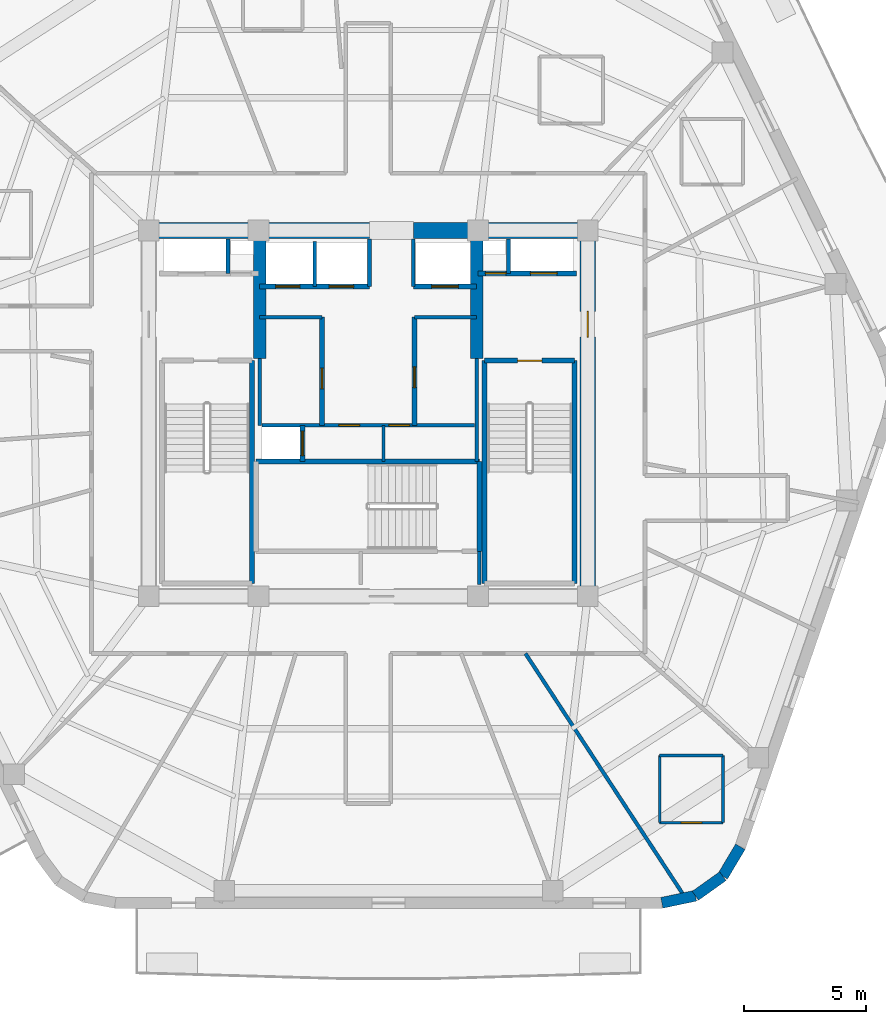
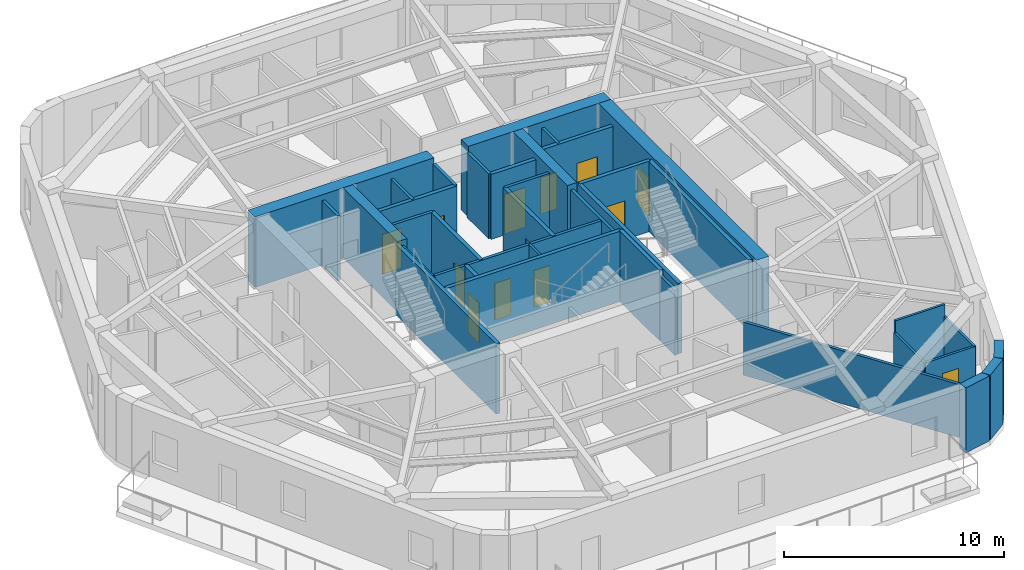
# One storey, part 4 of 9: 37 walls, 13 doors, 13 openings.
"""IFC4 building model written with IfcOpenShell, lengths in metres."""

from ifc_helpers import new_model, si_unit, direction, frame, frame_2d, origin, place, context, subcontext, project, spatial, rectangle, extrude, material, layer, layer_set, type_object, element, fill, save


model = new_model("IFC4")

# Units and contexts
model_context = context("Model", 3, precision=1e-05, world=origin(), true_north=direction((0.0, 1.0)))
body_context = subcontext(model_context, "Body", "Model", "MODEL_VIEW")
ifc_project = project(units=[si_unit("LENGTHUNIT", "METRE"), si_unit("AREAUNIT", "SQUARE_METRE"), si_unit("VOLUMEUNIT", "CUBIC_METRE"), si_unit("PLANEANGLEUNIT", "RADIAN"), si_unit("MASSUNIT", "GRAM", prefix="KILO")], contexts=[model_context])

# Site, building, storey
site_placement = place(None, origin())
site = spatial("IfcSite", under=ifc_project, at=site_placement, CompositionType="ELEMENT")
building_placement = place(site_placement, origin())
building = spatial("IfcBuilding", under=site, at=building_placement, Name="Kilnhurst Terrace Hotel", CompositionType="ELEMENT")
storey_placement = place(building_placement, frame((0.0, 0.0, 280.800048828125)))
storey = spatial("IfcBuildingStorey", under=building, at=storey_placement, Name="L70", CompositionType="ELEMENT", Elevation=280.800048828125)

# Walls
ifc_material_1 = material(Name="Precast concrete C40/50", Category="concrete")
ifc_layer_1 = layer(ifc_material_1, 0.449951171875, Name="Precast concrete C40/50")
ifc_layer_set_1 = layer_set([ifc_layer_1], Name="Precast concrete C40/50")
wall_type_1 = type_object("IfcWallType", Name="WL-BRK-450", PredefinedType="SOLIDWALL", material=ifc_layer_set_1)
wall_1_placement = place(storey_placement, frame((12.038330078125, -20.074951171875, 0.0), z_axis=(0.0, 0.0, 1.0), x_axis=(0.978750122553, 0.205056571711, 0.0)))
element("IfcWall", 1, at=wall_1_placement, inside=storey, type_object=wall_type_1, Name="L70 Rounded Corner Brick Wall C2.1", PredefinedType="SOLIDWALL", context=body_context, shape_type="SweptSolid", body=[
    extrude(rectangle(XDim=1.406005859375, YDim=0.449951171875, at=frame_2d((0.703125, 0.0))), origin(), (0.0, 0.0, 1.0), 3.599853515625),
])
wall_2_placement = place(storey_placement, frame((13.41455078125, -19.78662109375, 0.0), z_axis=(0.0, 0.0, 1.0), x_axis=(0.814055493997, 0.580787097561, 0.0)))
element("IfcWall", 2, at=wall_2_placement, inside=storey, type_object=wall_type_1, Name="L70 Rounded Corner Brick Wall C2.2", PredefinedType="SOLIDWALL", context=body_context, shape_type="SweptSolid", body=[
    extrude(rectangle(XDim=1.382568359375, YDim=0.449951171875, at=frame_2d((0.69140625, 0.0))), origin(), (0.0, 0.0, 1.0), 3.599853515625),
])
wall_3_placement = place(storey_placement, frame((14.5400390625, -18.983642578125, 0.0), z_axis=(0.0, 0.0, 1.0), x_axis=(0.512374906623, 0.858761873317, 0.0)))
element("IfcWall", 3, at=wall_3_placement, inside=storey, type_object=wall_type_1, Name="L70 Rounded Corner Brick Wall C2.3", PredefinedType="SOLIDWALL", context=body_context, shape_type="SweptSolid", body=[
    extrude(rectangle(XDim=1.406005859375, YDim=0.449951171875, at=frame_2d((0.703125, 0.0))), origin(), (0.0, 0.0, 1.0), 3.599853515625),
])
ifc_material_2 = material(Name="Concrete C60/75", Category="concrete")
ifc_layer_2 = layer(ifc_material_2, 0.64990234375, Name="Concrete C60/75")
ifc_layer_set_2 = layer_set([ifc_layer_2], Name="Concrete C60/75")
wall_type_2 = type_object("IfcWallType", Name="WL-CORE-650", PredefinedType="SHEAR", material=ifc_layer_set_2)
wall_4_placement = place(storey_placement, frame((-9.324951171875, 7.5, 0.0), z_axis=(0.0, 0.0, 1.0), x_axis=(1.0, 0.0, 0.0)))
element("IfcWall", 4, at=wall_4_placement, inside=storey, type_object=wall_type_2, Name="L70 Core North West Shear Wall", PredefinedType="SHEAR", context=body_context, shape_type="SweptSolid", body=[
    extrude(rectangle(XDim=9.375, YDim=0.64990234375, at=frame_2d((4.6875, 0.0))), origin(), (0.0, 0.0, 1.0), 3.89990234375),
])
wall_5_placement = place(storey_placement, frame((1.85009765625, 7.5, 0.0), z_axis=(0.0, 0.0, 1.0), x_axis=(1.0, 0.0, 0.0)))
element("IfcWall", 5, at=wall_5_placement, inside=storey, type_object=wall_type_2, Name="L70 Core North East Shear Wall", PredefinedType="SHEAR", context=body_context, shape_type="SweptSolid", body=[
    extrude(rectangle(XDim=7.474853515625, YDim=0.64990234375, at=frame_2d((3.7373046875, 0.0))), origin(), (0.0, 0.0, 1.0), 3.89990234375),
])

# Wall, opening, door
wall_6_placement = place(storey_placement, frame((9.0, -7.175048828125, 0.0), z_axis=(0.0, 0.0, 1.0), x_axis=(0.0, 1.0, 0.0)))
wall_6 = element("IfcWall", 6, at=wall_6_placement, inside=storey, type_object=wall_type_2, Name="L70 Core East Shear Wall", PredefinedType="SHEAR", context=body_context, shape_type="SweptSolid", body=[
    extrude(rectangle(XDim=14.35009765625, YDim=0.64990234375, at=frame_2d((7.175048828125, 0.0))), origin(), (0.0, 0.0, 1.0), 3.89990234375),
])
opening_1_placement = place(wall_6_placement, frame((10.300048828125, 0.0, 0.0)))
opening_1 = element("IfcOpeningElement", 7, at=opening_1_placement, cuts=wall_6, Name="Opening D-90A", PredefinedType="OPENING", context=body_context, shape_type="SweptSolid", body=[
    extrude(rectangle(XDim=1.050048828125, YDim=2.14990234375, at=frame_2d((0.52490234375, 1.074951171875))), frame((0.0, 0.3349609375, 0.0), z_axis=(0.0, -1.0, 0.0), x_axis=(1.0, 0.0, 0.0)), (0.0, 0.0, 1.0), 0.669921875),
])
ifc_material_3 = material(Name="Painted Hollow Metal Steel ASTM A36 Fire Door", Category="steel")
door_type_1 = type_object("IfcDoorType", Name="DR-FD90-1050", OperationType="NOTDEFINED", PredefinedType="DOOR", material=ifc_material_3)
door_1_placement = place(opening_1_placement, origin())
door_1 = element("IfcDoor", 8, at=door_1_placement, inside=storey, type_object=door_type_1, Name="L70 East Firefighting Lobby Door", OperationType="SINGLE_SWING_LEFT", OverallHeight=2.14990234375, OverallWidth=1.050048828125, PredefinedType="DOOR", context=body_context, shape_type="SweptSolid", body=[
    extrude(rectangle(XDim=1.050048828125, YDim=2.14990234375, at=frame_2d((0.52490234375, 1.074951171875))), frame((0.0, 0.02490234375, 0.0), z_axis=(0.0, -1.0, 0.0), x_axis=(1.0, 0.0, 0.0)), (0.0, 0.0, 1.0), 0.050048828125),
])
fill(opening_1, door_1)

# Walls
ifc_layer_3 = layer(ifc_material_2, 0.5, Name="Concrete C60/75")
ifc_layer_set_3 = layer_set([ifc_layer_3], Name="Concrete C60/75")
wall_type_3 = type_object("IfcWallType", Name="WL-CORE-WEB-500", PredefinedType="SHEAR", material=ifc_layer_set_3)
for number, where, z_axis, x_axis, name in (
    (9, (-4.449951171875, 2.25, 0.0), (0.0, 0.0, 1.0), (0.0, 1.0, 0.0), "L70 Core Internal West Shear Web"),
    (10, (4.449951171875, 2.25, 0.0), (0.0, 0.0, 1.0), (0.0, 1.0, 0.0), "L70 Core Internal East Shear Web"),
):
    element("IfcWall", number, at=place(storey_placement, frame(where, z_axis=z_axis, x_axis=x_axis)), inside=storey, type_object=wall_type_3, Name=name, PredefinedType="SHEAR", context=body_context, shape_type="SweptSolid", body=[
        extrude(rectangle(XDim=4.925048828125, YDim=0.5, at=frame_2d((2.46240234375, 0.0))), origin(), (0.0, 0.0, 1.0), 3.89990234375),
    ])
ifc_material_4 = material(Name="STC-58 Acoustic Twin-Frame Guestroom Demising Partition")
ifc_layer_4 = layer(ifc_material_4, 0.14990234375, Name="STC-58 Acoustic Twin-Frame Guestroom Demising Partition")
ifc_layer_set_4 = layer_set([ifc_layer_4], Name="STC-58 Acoustic Twin-Frame Guestroom Demising Partition")
wall_type_4 = type_object("IfcWallType", Name="WL-DEM-150", PredefinedType="PARTITIONING", material=ifc_layer_set_4)
wall_7_placement = place(storey_placement, frame((6.4462890625, -9.85009765625, 0.0), z_axis=(0.0, 0.0, 1.0), x_axis=(0.547598105704, -0.836741486141, 0.0)))
element("IfcWall", 11, at=wall_7_placement, inside=storey, type_object=wall_type_4, Name="L70 Interior Wall WL-L70-DEM-MID10-15-1", PredefinedType="PARTITIONING", context=body_context, shape_type="SweptSolid", body=[
    extrude(rectangle(XDim=11.805908203125, YDim=0.14990234375, at=frame_2d((5.90283203125, 0.0))), origin(), (0.0, 0.0, 1.0), 2.93994140625),
])
ifc_material_5 = material(Name="120 mm Moisture-Resistant Tile-Backed Bathroom Partition")
ifc_layer_5 = layer(ifc_material_5, 0.1201171875, Name="120 mm Moisture-Resistant Tile-Backed Bathroom Partition")
ifc_layer_set_5 = layer_set([ifc_layer_5], Name="120 mm Moisture-Resistant Tile-Backed Bathroom Partition")
wall_type_5 = type_object("IfcWallType", Name="WL-PART-120", PredefinedType="PARTITIONING", material=ifc_layer_set_5)
wall_8_placement = place(storey_placement, frame((0.6201171875, -1.971923828125, 0.0), z_axis=(0.0, 0.0, 1.0), x_axis=(0.0, 1.0, 0.0)))
element("IfcWall", 12, at=wall_8_placement, inside=storey, type_object=wall_type_5, Name="L70 Interior Wall WL-L70-BOH-C1", PredefinedType="PARTITIONING", context=body_context, shape_type="SweptSolid", body=[
    extrude(rectangle(XDim=1.471923828125, YDim=0.1201171875, at=frame_2d((0.73583984375, 0.0))), origin(), (0.0, 0.0, 1.0), 3.599853515625),
])

# Wall, opening, door
wall_9_placement = place(storey_placement, frame((11.9541015625, -16.7900390625, 0.0), z_axis=(0.0, 0.0, 1.0), x_axis=(1.0, 0.0, 0.0)))
wall_9 = element("IfcWall", 13, at=wall_9_placement, inside=storey, type_object=wall_type_5, Name="L70 Interior Wall WL-L70-BTH-15-1", PredefinedType="PARTITIONING", context=body_context, shape_type="SweptSolid", body=[
    extrude(rectangle(XDim=2.599853515625, YDim=0.1201171875, at=frame_2d((1.2998046875, 0.0))), origin(), (0.0, 0.0, 1.0), 2.93994140625),
])
opening_2_placement = place(wall_9_placement, frame((0.875, 0.0, 0.0)))
opening_2 = element("IfcOpeningElement", 14, at=opening_2_placement, cuts=wall_9, Name="Opening D-08A", PredefinedType="OPENING", context=body_context, shape_type="SweptSolid", body=[
    extrude(rectangle(XDim=0.85009765625, YDim=2.030029296875, at=frame_2d((0.425048828125, 1.01513671875))), frame((0.0, 0.070068359375, 0.0), z_axis=(0.0, -1.0, 0.0), x_axis=(1.0, 0.0, 0.0)), (0.0, 0.0, 1.0), 0.14013671875),
])
ifc_material_6 = material(Name="Moisture-Resistant Lacquered En-suite Bathroom Door")
door_type_2 = type_object("IfcDoorType", Name="DR-INT-850", OperationType="NOTDEFINED", PredefinedType="DOOR", material=ifc_material_6)
door_2_placement = place(opening_2_placement, origin())
door_2 = element("IfcDoor", 15, at=door_2_placement, inside=storey, type_object=door_type_2, Name="L70 En-suite Bathroom Door 15", OperationType="SINGLE_SWING_RIGHT", OverallHeight=2.030029296875, OverallWidth=0.85009765625, PredefinedType="DOOR", context=body_context, shape_type="SweptSolid", body=[
    extrude(rectangle(XDim=0.85009765625, YDim=2.030029296875, at=frame_2d((0.425048828125, 1.01513671875))), frame((0.0, 0.02490234375, 0.0), z_axis=(0.0, -1.0, 0.0), x_axis=(1.0, 0.0, 0.0)), (0.0, 0.0, 1.0), 0.050048828125),
])
fill(opening_2, door_2)

# Walls
wall_10_placement = place(storey_placement, frame((14.553955078125, -16.7900390625, 0.0), z_axis=(0.0, 0.0, 1.0), x_axis=(0.0, 1.0, 0.0)))
element("IfcWall", 16, at=wall_10_placement, inside=storey, type_object=wall_type_5, Name="L70 Interior Wall WL-L70-BTH-15-2", PredefinedType="PARTITIONING", context=body_context, shape_type="SweptSolid", body=[
    extrude(rectangle(XDim=2.75, YDim=0.1201171875, at=frame_2d((1.375, 0.0))), origin(), (0.0, 0.0, 1.0), 2.93994140625),
])
wall_11_placement = place(storey_placement, frame((14.553955078125, -14.0400390625, 0.0), z_axis=(0.0, 0.0, 1.0), x_axis=(-1.0, 0.0, 0.0)))
element("IfcWall", 17, at=wall_11_placement, inside=storey, type_object=wall_type_5, Name="L70 Interior Wall WL-L70-BTH-15-3", PredefinedType="PARTITIONING", context=body_context, shape_type="SweptSolid", body=[
    extrude(rectangle(XDim=2.599853515625, YDim=0.1201171875, at=frame_2d((1.2998046875, 0.0))), origin(), (0.0, 0.0, 1.0), 3.599853515625),
])
wall_12_placement = place(storey_placement, frame((11.9541015625, -14.0400390625, 0.0), z_axis=(0.0, 0.0, 1.0), x_axis=(0.0, -1.0, 0.0)))
element("IfcWall", 18, at=wall_12_placement, inside=storey, type_object=wall_type_5, Name="L70 Interior Wall WL-L70-BTH-15-4", PredefinedType="PARTITIONING", context=body_context, shape_type="SweptSolid", body=[
    extrude(rectangle(XDim=2.75, YDim=0.1201171875, at=frame_2d((1.375, 0.0))), origin(), (0.0, 0.0, 1.0), 2.93994140625),
])
ifc_material_7 = material(Name="Fire-Rated Gypsum Shaftliner Assembly")
ifc_layer_6 = layer(ifc_material_7, 0.14990234375, Name="Fire-Rated Gypsum Shaftliner Assembly")
ifc_layer_set_6 = layer_set([ifc_layer_6], Name="Fire-Rated Gypsum Shaftliner Assembly")
wall_type_6 = type_object("IfcWallType", Name="WL-SHAFT-150", PredefinedType="PARTITIONING", material=ifc_layer_set_6)
wall_13_placement = place(storey_placement, frame((4.55810546875, -7.02001953125, 0.0), z_axis=(0.0, 0.0, 1.0), x_axis=(0.0, 1.0, 0.0)))
element("IfcWall", 19, at=wall_13_placement, inside=storey, type_object=wall_type_6, Name="L70 Interior Wall WL-L70-ST3-PSGE", PredefinedType="PARTITIONING", context=body_context, shape_type="SweptSolid", body=[
    extrude(rectangle(XDim=1.362060546875, YDim=0.14990234375, at=frame_2d((0.68115234375, 0.0))), origin(), (0.0, 0.0, 1.0), 3.599853515625),
])
for number, where, z_axis, x_axis, name in (
    (20, (-5.75, 5.739990234375, 0.0), (0.0, 0.0, 1.0), (0.0, 1.0, 0.0), "L70 Interior Wall WL-L70-RIS1-DIV"),
    (21, (5.75, 5.739990234375, 0.0), (0.0, 0.0, 1.0), (0.0, 1.0, 0.0), "L70 Interior Wall WL-L70-RIS2-DIV"),
):
    element("IfcWall", number, at=place(storey_placement, frame(where, z_axis=z_axis, x_axis=x_axis)), inside=storey, type_object=wall_type_6, Name=name, PredefinedType="PARTITIONING", context=body_context, shape_type="SweptSolid", body=[
        extrude(rectangle(XDim=1.409912109375, YDim=0.14990234375, at=frame_2d((0.705078125, 0.0))), origin(), (0.0, 0.0, 1.0), 3.599853515625),
    ])
wall_14_placement = place(storey_placement, frame((-2.199951171875, 5.199951171875, 0.0), z_axis=(0.0, 0.0, 1.0), x_axis=(0.0, 1.0, 0.0)))
element("IfcWall", 22, at=wall_14_placement, inside=storey, type_object=wall_type_6, Name="L70 Interior Wall WL-L70-HR-DIV1", PredefinedType="PARTITIONING", context=body_context, shape_type="SweptSolid", body=[
    extrude(rectangle(XDim=1.85009765625, YDim=0.14990234375, at=frame_2d((0.925048828125, 0.0))), origin(), (0.0, 0.0, 1.0), 3.599853515625),
])
for number, where, z_axis, x_axis, name in (
    (23, (0.050048828125, 5.199951171875, 0.0), (0.0, 0.0, 1.0), (0.0, 1.0, 0.0), "L70 Interior Wall WL-L70-HR-PORTAL-W"),
    (24, (1.85009765625, 5.199951171875, 0.0), (0.0, 0.0, 1.0), (0.0, 1.0, 0.0), "L70 Interior Wall WL-L70-HR-PORTAL-E"),
):
    element("IfcWall", number, at=place(storey_placement, frame(where, z_axis=z_axis, x_axis=x_axis)), inside=storey, type_object=wall_type_6, Name=name, PredefinedType="PARTITIONING", context=body_context, shape_type="SweptSolid", body=[
        extrude(rectangle(XDim=1.949951171875, YDim=0.14990234375, at=frame_2d((0.97509765625, 0.0))), origin(), (0.0, 0.0, 1.0), 3.599853515625),
    ])
wall_15_placement = place(storey_placement, frame((-4.449951171875, -0.5, 0.0), z_axis=(0.0, 0.0, 1.0), x_axis=(0.0, 1.0, 0.0)))
element("IfcWall", 25, at=wall_15_placement, inside=storey, type_object=wall_type_6, Name="L70 Interior Wall WL-L70-XLOB-W", PredefinedType="PARTITIONING", context=body_context, shape_type="SweptSolid", body=[
    extrude(rectangle(XDim=2.75, YDim=0.14990234375, at=frame_2d((1.375, 0.0))), origin(), (0.0, 0.0, 1.0), 3.599853515625),
])
wall_16_placement = place(storey_placement, frame((4.449951171875, -1.971923828125, 0.0), z_axis=(0.0, 0.0, 1.0), x_axis=(0.0, 1.0, 0.0)))
element("IfcWall", 26, at=wall_16_placement, inside=storey, type_object=wall_type_6, Name="L70 Interior Wall WL-L70-XLOB-E", PredefinedType="PARTITIONING", context=body_context, shape_type="SweptSolid", body=[
    extrude(rectangle(XDim=4.221923828125, YDim=0.14990234375, at=frame_2d((2.11083984375, 0.0))), origin(), (0.0, 0.0, 1.0), 3.599853515625),
])
for number, where, z_axis, x_axis, name in (
    (27, (-4.449951171875, 3.93994140625, 0.0), (0.0, 0.0, 1.0), (1.0, 0.0, 0.0), "L70 Interior Wall WL-L70-LR-NORTH"),
    (28, (1.89990234375, 3.93994140625, 0.0), (0.0, 0.0, 1.0), (1.0, 0.0, 0.0), "L70 Interior Wall WL-L70-MR-NORTH"),
):
    element("IfcWall", number, at=place(storey_placement, frame(where, z_axis=z_axis, x_axis=x_axis)), inside=storey, type_object=wall_type_6, Name=name, PredefinedType="PARTITIONING", context=body_context, shape_type="SweptSolid", body=[
        extrude(rectangle(XDim=2.550048828125, YDim=0.14990234375, at=frame_2d((1.27490234375, 0.0))), origin(), (0.0, 0.0, 1.0), 3.599853515625),
    ])

# Wall, openings, doors
wall_17_placement = place(storey_placement, frame((-4.360107421875, -0.489990234375, 0.0), z_axis=(0.0, 0.0, 1.0), x_axis=(1.0, 0.0, 0.0)))
wall_17 = element("IfcWall", 29, at=wall_17_placement, inside=storey, type_object=wall_type_6, Name="L70 Interior Wall WL-L70-BOH-N", PredefinedType="PARTITIONING", context=body_context, shape_type="SweptSolid", body=[
    extrude(rectangle(XDim=8.72021484375, YDim=0.14990234375, at=frame_2d((4.360107421875, 0.0))), origin(), (0.0, 0.0, 1.0), 3.599853515625),
])
opening_3_placement = place(wall_17_placement, frame((3.159912109375, 0.0, 0.0)))
opening_3 = element("IfcOpeningElement", 30, at=opening_3_placement, cuts=wall_17, Name="Opening D-60D", PredefinedType="OPENING", context=body_context, shape_type="SweptSolid", body=[
    extrude(rectangle(XDim=0.85009765625, YDim=2.030029296875, at=frame_2d((0.425048828125, 1.01513671875))), frame((0.0, 0.0849609375, 0.0), z_axis=(0.0, -1.0, 0.0), x_axis=(1.0, 0.0, 0.0)), (0.0, 0.0, 1.0), 0.169921875),
])
opening_4_placement = place(wall_17_placement, frame((5.2099609375, 0.0, 0.0)))
opening_4 = element("IfcOpeningElement", 31, at=opening_4_placement, cuts=wall_17, Name="Opening D-60D", PredefinedType="OPENING", context=body_context, shape_type="SweptSolid", body=[
    extrude(rectangle(XDim=0.85009765625, YDim=2.030029296875, at=frame_2d((0.425048828125, 1.01513671875))), frame((0.0, 0.0849609375, 0.0), z_axis=(0.0, -1.0, 0.0), x_axis=(1.0, 0.0, 0.0)), (0.0, 0.0, 1.0), 0.169921875),
])
ifc_material_8 = material(Name="Painted Hollow Metal Steel ASTM A36 Riser Door", Category="steel")
door_type_3 = type_object("IfcDoorType", Name="DR-FD60-850", OperationType="NOTDEFINED", PredefinedType="DOOR", material=ifc_material_8)
door_3_placement = place(opening_3_placement, origin())
door_3 = element("IfcDoor", 32, at=door_3_placement, inside=storey, type_object=door_type_3, Name="L70 Housekeeping Laundry Door", OperationType="SINGLE_SWING_LEFT", OverallHeight=2.030029296875, OverallWidth=0.85009765625, PredefinedType="DOOR", context=body_context, shape_type="SweptSolid", body=[
    extrude(rectangle(XDim=0.85009765625, YDim=2.030029296875, at=frame_2d((0.425048828125, 1.01513671875))), frame((0.0, 0.02490234375, 0.0), z_axis=(0.0, -1.0, 0.0), x_axis=(1.0, 0.0, 0.0)), (0.0, 0.0, 1.0), 0.050048828125),
])
fill(opening_3, door_3)
door_4_placement = place(opening_4_placement, origin())
door_4 = element("IfcDoor", 33, at=door_4_placement, inside=storey, type_object=door_type_3, Name="L70 Room Service Kitchen Door", OperationType="SINGLE_SWING_RIGHT", OverallHeight=2.030029296875, OverallWidth=0.85009765625, PredefinedType="DOOR", context=body_context, shape_type="SweptSolid", body=[
    extrude(rectangle(XDim=0.85009765625, YDim=2.030029296875, at=frame_2d((0.425048828125, 1.01513671875))), frame((0.0, 0.02490234375, 0.0), z_axis=(0.0, -1.0, 0.0), x_axis=(1.0, 0.0, 0.0)), (0.0, 0.0, 1.0), 0.050048828125),
])
fill(opening_4, door_4)

ifc_material_9 = material(Name="Autoclaved Aerated Concrete C30/37 and Gypsum Shaft Assembly", Category="concrete")
ifc_layer_7 = layer(ifc_material_9, 0.199951171875, Name="Autoclaved Aerated Concrete C30/37 and Gypsum Shaft Assembly")
ifc_layer_set_7 = layer_set([ifc_layer_7], Name="Autoclaved Aerated Concrete C30/37 and Gypsum Shaft Assembly")
wall_type_7 = type_object("IfcWallType", Name="WL-SHAFT-200", PredefinedType="PARTITIONING", material=ifc_layer_set_7)
wall_18_placement = place(storey_placement, frame((4.5, 5.739990234375, 0.0), z_axis=(0.0, 0.0, 1.0), x_axis=(1.0, 0.0, 0.0)))
wall_18 = element("IfcWall", 34, at=wall_18_placement, inside=storey, type_object=wall_type_7, Name="L70 Interior Wall WL-L70-FSAE2-S", PredefinedType="PARTITIONING", context=body_context, shape_type="SweptSolid", body=[
    extrude(rectangle(XDim=4.050048828125, YDim=0.199951171875, at=frame_2d((2.02490234375, 0.0))), origin(), (0.0, 0.0, 1.0), 3.599853515625),
])
opening_5_placement = place(wall_18_placement, frame((0.300048828125, 0.0, 0.0)))
opening_5 = element("IfcOpeningElement", 35, at=opening_5_placement, cuts=wall_18, Name="Opening D-60D", PredefinedType="OPENING", context=body_context, shape_type="SweptSolid", body=[
    extrude(rectangle(XDim=0.85009765625, YDim=2.030029296875, at=frame_2d((0.425048828125, 1.01513671875))), frame((0.0, 0.10986328125, 0.0), z_axis=(0.0, -1.0, 0.0), x_axis=(1.0, 0.0, 0.0)), (0.0, 0.0, 1.0), 0.219970703125),
])
opening_6_placement = place(wall_18_placement, frame((2.14990234375, 0.0, 0.0)))
opening_6 = element("IfcOpeningElement", 36, at=opening_6_placement, cuts=wall_18, Name="Opening LD-F2", PredefinedType="OPENING", context=body_context, shape_type="SweptSolid", body=[
    extrude(rectangle(XDim=1.10009765625, YDim=2.199951171875, at=frame_2d((0.550048828125, 1.10009765625))), frame((0.0, 0.10986328125, 0.0), z_axis=(0.0, -1.0, 0.0), x_axis=(1.0, 0.0, 0.0)), (0.0, 0.0, 1.0), 0.219970703125),
])
door_5_placement = place(opening_5_placement, origin())
door_5 = element("IfcDoor", 37, at=door_5_placement, inside=storey, type_object=door_type_3, Name="L70 Telecom Riser Door", OperationType="SINGLE_SWING_RIGHT", OverallHeight=2.030029296875, OverallWidth=0.85009765625, PredefinedType="DOOR", context=body_context, shape_type="SweptSolid", body=[
    extrude(rectangle(XDim=0.85009765625, YDim=2.030029296875, at=frame_2d((0.425048828125, 1.01513671875))), frame((0.0, 0.02490234375, 0.0), z_axis=(0.0, -1.0, 0.0), x_axis=(1.0, 0.0, 0.0)), (0.0, 0.0, 1.0), 0.050048828125),
])
fill(opening_5, door_5)
ifc_material_10 = material(Name="Bronze-Anodized Stainless Steel AISI 316L Sliding Door", Category="steel")
door_type_4 = type_object("IfcDoorType", Name="DR-LIFT-1100", OperationType="NOTDEFINED", PredefinedType="DOOR", material=ifc_material_10)
door_6_placement = place(opening_6_placement, origin())
door_6 = element("IfcDoor", 38, at=door_6_placement, inside=storey, type_object=door_type_4, Name="L70 FSAE-2 Landing Door", OperationType="SLIDING_TO_RIGHT", OverallHeight=2.199951171875, OverallWidth=1.10009765625, PredefinedType="DOOR", context=body_context, shape_type="SweptSolid", body=[
    extrude(rectangle(XDim=1.10009765625, YDim=2.199951171875, at=frame_2d((0.550048828125, 1.10009765625))), frame((0.0, 0.02490234375, 0.0), z_axis=(0.0, -1.0, 0.0), x_axis=(1.0, 0.0, 0.0)), (0.0, 0.0, 1.0), 0.050048828125),
])
fill(opening_6, door_6)

# Wall, opening, door
wall_19_placement = place(storey_placement, frame((-2.699951171875, -1.971923828125, 0.0), z_axis=(0.0, 0.0, 1.0), x_axis=(0.0, 1.0, 0.0)))
wall_19 = element("IfcWall", 39, at=wall_19_placement, inside=storey, type_object=wall_type_7, Name="L70 Interior Wall WL-L70-SRV1-E", PredefinedType="PARTITIONING", context=body_context, shape_type="SweptSolid", body=[
    extrude(rectangle(XDim=1.471923828125, YDim=0.199951171875, at=frame_2d((0.73583984375, 0.0))), origin(), (0.0, 0.0, 1.0), 3.599853515625),
])
opening_7_placement = place(wall_19_placement, frame((0.239990234375, 0.0, 0.0)))
opening_7 = element("IfcOpeningElement", 40, at=opening_7_placement, cuts=wall_19, Name="Opening LD-SV", PredefinedType="OPENING", context=body_context, shape_type="SweptSolid", body=[
    extrude(rectangle(XDim=1.0, YDim=2.199951171875, at=frame_2d((0.5, 1.10009765625))), frame((0.0, 0.10986328125, 0.0), z_axis=(0.0, -1.0, 0.0), x_axis=(1.0, 0.0, 0.0)), (0.0, 0.0, 1.0), 0.219970703125),
])
door_type_5 = type_object("IfcDoorType", Name="DR-LIFT-1000", OperationType="NOTDEFINED", PredefinedType="DOOR", material=ifc_material_10)
door_7_placement = place(opening_7_placement, origin())
door_7 = element("IfcDoor", 41, at=door_7_placement, inside=storey, type_object=door_type_5, Name="L70 Service Lift SRV-1 Landing Door", OperationType="SLIDING_TO_LEFT", OverallHeight=2.199951171875, OverallWidth=1.0, PredefinedType="DOOR", context=body_context, shape_type="SweptSolid", body=[
    extrude(rectangle(XDim=1.0, YDim=2.199951171875, at=frame_2d((0.5, 1.10009765625))), frame((0.0, 0.02490234375, 0.0), z_axis=(0.0, -1.0, 0.0), x_axis=(1.0, 0.0, 0.0)), (0.0, 0.0, 1.0), 0.050048828125),
])
fill(opening_7, door_7)

# Wall, openings, doors
wall_20_placement = place(storey_placement, frame((-4.449951171875, 5.199951171875, 0.0), z_axis=(0.0, 0.0, 1.0), x_axis=(1.0, 0.0, 0.0)))
wall_20 = element("IfcWall", 42, at=wall_20_placement, inside=storey, type_object=wall_type_7, Name="L70 Interior Wall WL-L70-HR-SW", PredefinedType="PARTITIONING", context=body_context, shape_type="SweptSolid", body=[
    extrude(rectangle(XDim=4.5, YDim=0.199951171875, at=frame_2d((2.25, 0.0))), origin(), (0.0, 0.0, 1.0), 3.599853515625),
])
opening_8_placement = place(wall_20_placement, frame((0.64990234375, 0.0, 0.0)))
opening_8 = element("IfcOpeningElement", 43, at=opening_8_placement, cuts=wall_20, Name="Opening LD-HR", PredefinedType="OPENING", context=body_context, shape_type="SweptSolid", body=[
    extrude(rectangle(XDim=1.0, YDim=2.199951171875, at=frame_2d((0.5, 1.10009765625))), frame((0.0, 0.10986328125, 0.0), z_axis=(0.0, -1.0, 0.0), x_axis=(1.0, 0.0, 0.0)), (0.0, 0.0, 1.0), 0.219970703125),
])
opening_9_placement = place(wall_20_placement, frame((2.85009765625, 0.0, 0.0)))
opening_9 = element("IfcOpeningElement", 44, at=opening_9_placement, cuts=wall_20, Name="Opening LD-HS", PredefinedType="OPENING", context=body_context, shape_type="SweptSolid", body=[
    extrude(rectangle(XDim=1.0, YDim=2.199951171875, at=frame_2d((0.5, 1.10009765625))), frame((0.0, 0.10986328125, 0.0), z_axis=(0.0, -1.0, 0.0), x_axis=(1.0, 0.0, 0.0)), (0.0, 0.0, 1.0), 0.219970703125),
])
door_8_placement = place(opening_8_placement, origin())
door_8 = element("IfcDoor", 45, at=door_8_placement, inside=storey, type_object=door_type_5, Name="L70 High Rise Lift HR-1 Landing Door", OperationType="SLIDING_TO_LEFT", OverallHeight=2.199951171875, OverallWidth=1.0, PredefinedType="DOOR", context=body_context, shape_type="SweptSolid", body=[
    extrude(rectangle(XDim=1.0, YDim=2.199951171875, at=frame_2d((0.5, 1.10009765625))), frame((0.0, 0.02490234375, 0.0), z_axis=(0.0, -1.0, 0.0), x_axis=(1.0, 0.0, 0.0)), (0.0, 0.0, 1.0), 0.050048828125),
])
fill(opening_8, door_8)
door_9_placement = place(opening_9_placement, origin())
door_9 = element("IfcDoor", 46, at=door_9_placement, inside=storey, type_object=door_type_5, Name="L70 High Rise Lift HR-3 Landing Door", OperationType="SLIDING_TO_RIGHT", OverallHeight=2.199951171875, OverallWidth=1.0, PredefinedType="DOOR", context=body_context, shape_type="SweptSolid", body=[
    extrude(rectangle(XDim=1.0, YDim=2.199951171875, at=frame_2d((0.5, 1.10009765625))), frame((0.0, 0.02490234375, 0.0), z_axis=(0.0, -1.0, 0.0), x_axis=(1.0, 0.0, 0.0)), (0.0, 0.0, 1.0), 0.050048828125),
])
fill(opening_9, door_9)

# Wall, opening, door
wall_21_placement = place(storey_placement, frame((1.85009765625, 5.199951171875, 0.0), z_axis=(0.0, 0.0, 1.0), x_axis=(1.0, 0.0, 0.0)))
wall_21 = element("IfcWall", 47, at=wall_21_placement, inside=storey, type_object=wall_type_7, Name="L70 Interior Wall WL-L70-HR-SE", PredefinedType="PARTITIONING", context=body_context, shape_type="SweptSolid", body=[
    extrude(rectangle(XDim=2.599853515625, YDim=0.199951171875, at=frame_2d((1.2998046875, 0.0))), origin(), (0.0, 0.0, 1.0), 3.599853515625),
])
opening_10_placement = place(wall_21_placement, frame((0.75, 0.0, 0.0)))
opening_10 = element("IfcOpeningElement", 48, at=opening_10_placement, cuts=wall_21, Name="Opening LD-H2", PredefinedType="OPENING", context=body_context, shape_type="SweptSolid", body=[
    extrude(rectangle(XDim=1.10009765625, YDim=2.199951171875, at=frame_2d((0.550048828125, 1.10009765625))), frame((0.0, 0.10986328125, 0.0), z_axis=(0.0, -1.0, 0.0), x_axis=(1.0, 0.0, 0.0)), (0.0, 0.0, 1.0), 0.219970703125),
])
door_10_placement = place(opening_10_placement, origin())
door_10 = element("IfcDoor", 49, at=door_10_placement, inside=storey, type_object=door_type_4, Name="L70 High Rise Lift HR-2 Landing Door", OperationType="SLIDING_TO_RIGHT", OverallHeight=2.199951171875, OverallWidth=1.10009765625, PredefinedType="DOOR", context=body_context, shape_type="SweptSolid", body=[
    extrude(rectangle(XDim=1.10009765625, YDim=2.199951171875, at=frame_2d((0.550048828125, 1.10009765625))), frame((0.0, 0.02490234375, 0.0), z_axis=(0.0, -1.0, 0.0), x_axis=(1.0, 0.0, 0.0)), (0.0, 0.0, 1.0), 0.050048828125),
])
fill(opening_10, door_10)

wall_22_placement = place(storey_placement, frame((-1.89990234375, -0.5, 0.0), z_axis=(0.0, 0.0, 1.0), x_axis=(0.0, 1.0, 0.0)))
wall_22 = element("IfcWall", 50, at=wall_22_placement, inside=storey, type_object=wall_type_7, Name="L70 Interior Wall WL-L70-LR-FRONT", PredefinedType="PARTITIONING", context=body_context, shape_type="SweptSolid", body=[
    extrude(rectangle(XDim=4.43994140625, YDim=0.199951171875, at=frame_2d((2.219970703125, 0.0))), origin(), (0.0, 0.0, 1.0), 3.599853515625),
])
opening_11_placement = place(wall_22_placement, frame((1.5, 0.0, 0.0)))
opening_11 = element("IfcOpeningElement", 51, at=opening_11_placement, cuts=wall_22, Name="Opening D-60D", PredefinedType="OPENING", context=body_context, shape_type="SweptSolid", body=[
    extrude(rectangle(XDim=0.85009765625, YDim=2.030029296875, at=frame_2d((0.425048828125, 1.01513671875))), frame((0.0, 0.10986328125, 0.0), z_axis=(0.0, -1.0, 0.0), x_axis=(1.0, 0.0, 0.0)), (0.0, 0.0, 1.0), 0.219970703125),
])
door_11_placement = place(opening_11_placement, origin())
door_11 = element("IfcDoor", 52, at=door_11_placement, inside=storey, type_object=door_type_3, Name="L70 Reclaimed Linen Room Door", OperationType="SINGLE_SWING_LEFT", OverallHeight=2.030029296875, OverallWidth=0.85009765625, PredefinedType="DOOR", context=body_context, shape_type="SweptSolid", body=[
    extrude(rectangle(XDim=0.85009765625, YDim=2.030029296875, at=frame_2d((0.425048828125, 1.01513671875))), frame((0.0, 0.02490234375, 0.0), z_axis=(0.0, -1.0, 0.0), x_axis=(1.0, 0.0, 0.0)), (0.0, 0.0, 1.0), 0.050048828125),
])
fill(opening_11, door_11)

wall_23_placement = place(storey_placement, frame((1.89990234375, -0.5, 0.0), z_axis=(0.0, 0.0, 1.0), x_axis=(0.0, 1.0, 0.0)))
wall_23 = element("IfcWall", 53, at=wall_23_placement, inside=storey, type_object=wall_type_7, Name="L70 Interior Wall WL-L70-MR-FRONT", PredefinedType="PARTITIONING", context=body_context, shape_type="SweptSolid", body=[
    extrude(rectangle(XDim=4.43994140625, YDim=0.199951171875, at=frame_2d((2.219970703125, 0.0))), origin(), (0.0, 0.0, 1.0), 3.599853515625),
])
opening_12_placement = place(wall_23_placement, frame((1.550048828125, 0.0, 0.0)))
opening_12 = element("IfcOpeningElement", 54, at=opening_12_placement, cuts=wall_23, Name="Opening D-60D", PredefinedType="OPENING", context=body_context, shape_type="SweptSolid", body=[
    extrude(rectangle(XDim=0.85009765625, YDim=2.030029296875, at=frame_2d((0.425048828125, 1.01513671875))), frame((0.0, 0.10986328125, 0.0), z_axis=(0.0, -1.0, 0.0), x_axis=(1.0, 0.0, 0.0)), (0.0, 0.0, 1.0), 0.219970703125),
])
door_12_placement = place(opening_12_placement, origin())
door_12 = element("IfcDoor", 55, at=door_12_placement, inside=storey, type_object=door_type_3, Name="L70 Staff Accessible Restroom Door", OperationType="SINGLE_SWING_RIGHT", OverallHeight=2.030029296875, OverallWidth=0.85009765625, PredefinedType="DOOR", context=body_context, shape_type="SweptSolid", body=[
    extrude(rectangle(XDim=0.85009765625, YDim=2.030029296875, at=frame_2d((0.425048828125, 1.01513671875))), frame((0.0, 0.02490234375, 0.0), z_axis=(0.0, -1.0, 0.0), x_axis=(1.0, 0.0, 0.0)), (0.0, 0.0, 1.0), 0.050048828125),
])
fill(opening_12, door_12)

# Walls
ifc_material_11 = material(Name="Concrete C50/60", Category="concrete")
ifc_layer_8 = layer(ifc_material_11, 0.199951171875, Name="Concrete C50/60")
ifc_layer_set_8 = layer_set([ifc_layer_8], Name="Concrete C50/60")
wall_type_8 = type_object("IfcWallType", Name="WL-STAIR-RC-200", PredefinedType="SHEAR", material=ifc_layer_set_8)
for number, where, z_axis, x_axis, name in (
    (56, (-4.77197265625, -6.985107421875, 0.0), (0.0, 0.0, 1.0), (0.0, 1.0, 0.0), "L70 Structural Stair Shaft Wall WL-L70-ST1-E"),
    (57, (4.77197265625, -6.985107421875, 0.0), (0.0, 0.0, 1.0), (0.0, 1.0, 0.0), "L70 Structural Stair Shaft Wall WL-L70-ST2-W"),
    (58, (8.4580078125, -6.985107421875, 0.0), (0.0, 0.0, 1.0), (0.0, 1.0, 0.0), "L70 Structural Stair Shaft Wall WL-L70-ST2-E"),
):
    element("IfcWall", number, at=place(storey_placement, frame(where, z_axis=z_axis, x_axis=x_axis)), inside=storey, type_object=wall_type_8, Name=name, PredefinedType="SHEAR", context=body_context, shape_type="SweptSolid", body=[
        extrude(rectangle(XDim=9.14306640625, YDim=0.199951171875, at=frame_2d((4.571533203125, 0.0))), origin(), (0.0, 0.0, 1.0), 3.89990234375),
    ])

# Wall, opening, door
wall_24_placement = place(storey_placement, frame((4.77197265625, 2.157958984375, 0.0), z_axis=(0.0, 0.0, 1.0), x_axis=(1.0, 0.0, 0.0)))
wall_24 = element("IfcWall", 59, at=wall_24_placement, inside=storey, type_object=wall_type_8, Name="L70 Structural Stair Shaft Wall WL-L70-ST2-N", PredefinedType="SHEAR", context=body_context, shape_type="SweptSolid", body=[
    extrude(rectangle(XDim=3.68603515625, YDim=0.199951171875, at=frame_2d((1.843017578125, 0.0))), origin(), (0.0, 0.0, 1.0), 3.89990234375),
])
opening_13_placement = place(wall_24_placement, frame((1.35009765625, 0.0, 0.0)))
opening_13 = element("IfcOpeningElement", 60, at=opening_13_placement, cuts=wall_24, Name="Opening D-90B", PredefinedType="OPENING", context=body_context, shape_type="SweptSolid", body=[
    extrude(rectangle(XDim=1.0, YDim=2.14990234375, at=frame_2d((0.5, 1.074951171875))), frame((0.0, 0.10986328125, 0.0), z_axis=(0.0, -1.0, 0.0), x_axis=(1.0, 0.0, 0.0)), (0.0, 0.0, 1.0), 0.219970703125),
])
door_type_6 = type_object("IfcDoorType", Name="DR-FD90-1000", OperationType="NOTDEFINED", PredefinedType="DOOR", material=ifc_material_3)
door_13_placement = place(opening_13_placement, origin())
door_13 = element("IfcDoor", 61, at=door_13_placement, inside=storey, type_object=door_type_6, Name="L70 Stair ST-2 Door", OperationType="SINGLE_SWING_RIGHT", OverallHeight=2.14990234375, OverallWidth=1.0, PredefinedType="DOOR", context=body_context, shape_type="SweptSolid", body=[
    extrude(rectangle(XDim=1.0, YDim=2.14990234375, at=frame_2d((0.5, 1.074951171875))), frame((0.0, 0.02490234375, 0.0), z_axis=(0.0, -1.0, 0.0), x_axis=(1.0, 0.0, 0.0)), (0.0, 0.0, 1.0), 0.050048828125),
])
fill(opening_13, door_13)

# Walls
wall_25_placement = place(storey_placement, frame((-4.60791015625, -1.971923828125, 0.0), z_axis=(0.0, 0.0, 1.0), x_axis=(1.0, 0.0, 0.0)))
element("IfcWall", 62, at=wall_25_placement, inside=storey, type_object=wall_type_8, Name="L70 Structural Stair Shaft Wall WL-L70-ST3-N", PredefinedType="SHEAR", context=body_context, shape_type="SweptSolid", body=[
    extrude(rectangle(XDim=9.166015625, YDim=0.199951171875, at=frame_2d((4.5830078125, 0.0))), origin(), (0.0, 0.0, 1.0), 3.89990234375),
])
wall_26_placement = place(storey_placement, frame((4.55810546875, -5.657958984375, 0.0), z_axis=(0.0, 0.0, 1.0), x_axis=(0.0, 1.0, 0.0)))
element("IfcWall", 63, at=wall_26_placement, inside=storey, type_object=wall_type_8, Name="L70 Structural Stair Shaft Wall WL-L70-ST3-E", PredefinedType="SHEAR", context=body_context, shape_type="SweptSolid", body=[
    extrude(rectangle(XDim=3.68603515625, YDim=0.199951171875, at=frame_2d((1.843017578125, 0.0))), origin(), (0.0, 0.0, 1.0), 3.89990234375),
])

save(model, "model.ifc")
